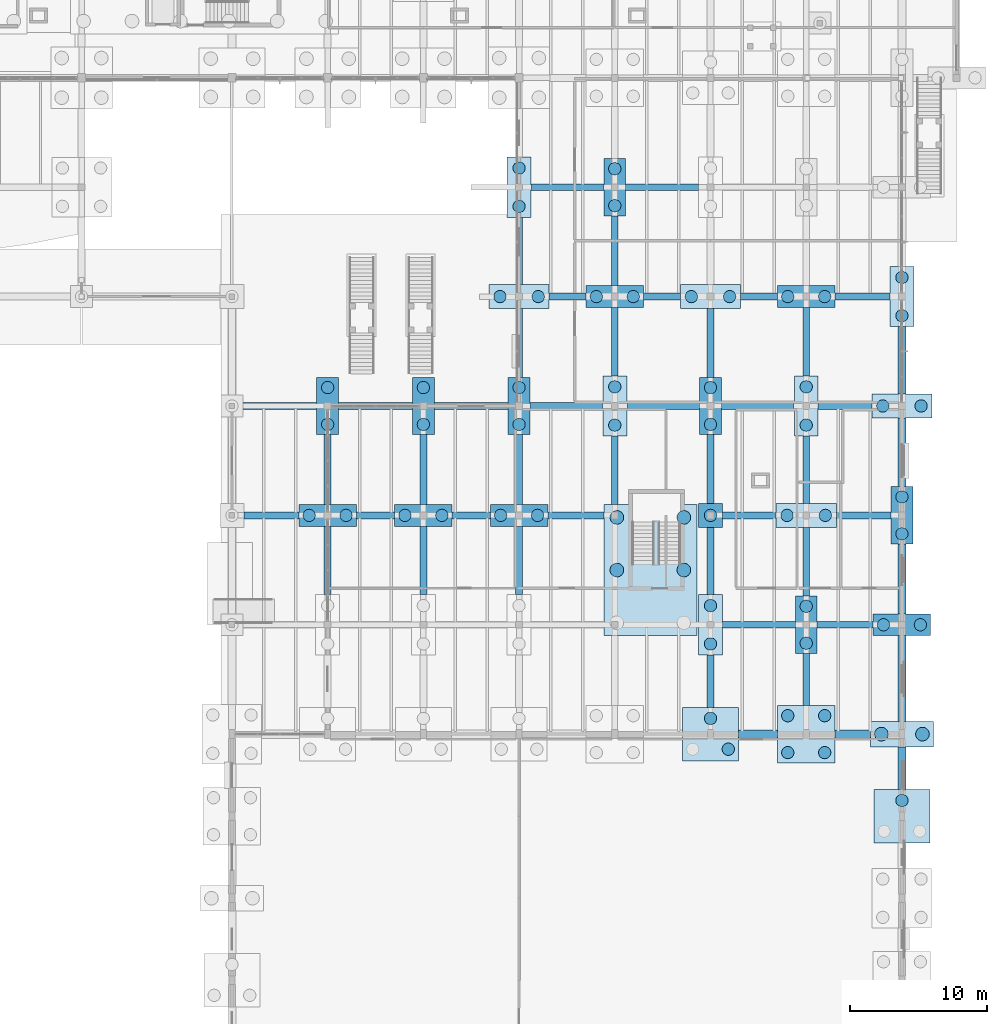
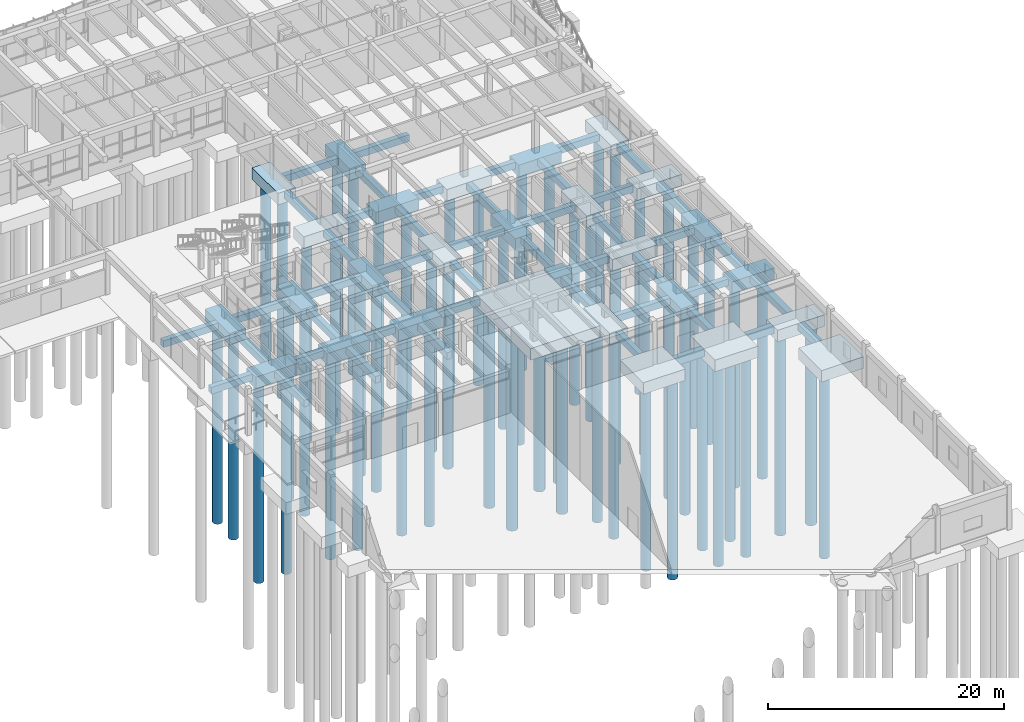
# One storey, part 7 of 99: 75 footings, 58 piles.
"""IFC4 building model written with IfcOpenShell, lengths in metres."""

from ifc_helpers import new_model, si_unit, direction, frame, origin, origin_2d, place, context, subcontext, project, spatial, rectangle, circle, extrude, material, material_profile, profile_set, type_object, element, save


model = new_model("IFC4")

# Units and contexts
model_context = context("Model", 3, precision=1e-05, world=origin(), true_north=direction((0.0, 1.0)))
body_context = subcontext(model_context, "Body", "Model", "MODEL_VIEW")
ifc_project = project(units=[si_unit("LENGTHUNIT", "METRE"), si_unit("AREAUNIT", "SQUARE_METRE"), si_unit("VOLUMEUNIT", "CUBIC_METRE"), si_unit("PLANEANGLEUNIT", "RADIAN"), si_unit("MASSUNIT", "GRAM", prefix="KILO")], contexts=[model_context])

# Site, building, storey
site_placement = place(None, origin())
site = spatial("IfcSite", under=ifc_project, at=site_placement, CompositionType="ELEMENT")
building_placement = place(site_placement, origin())
building = spatial("IfcBuilding", under=site, at=building_placement, Name="Tonlespit Floodbar School", CompositionType="ELEMENT")
storey_placement = place(building_placement, origin())
storey = spatial("IfcBuildingStorey", under=building, at=storey_placement, Name="L00", CompositionType="ELEMENT", Elevation=0.0)

# Footings
ifc_material_1 = material(Name="Concrete C40/50", Category="concrete")
footing_type_1 = type_object("IfcFootingType", Name="FootingBeam_RC_500x700", PredefinedType="FOOTING_BEAM", material=ifc_material_1)
footing_1_placement = place(storey_placement, frame((165.53759765625, 64.0, -0.89990234375), z_axis=(0.0, 0.0, 1.0), x_axis=(1.0, 0.0, 0.0)))
element("IfcFooting", 1, at=footing_1_placement, inside=storey, type_object=footing_type_1, Name="Ground tie beam FB-063", PredefinedType="FOOTING_BEAM", context=body_context, shape_type="SweptSolid", body=[
    extrude(rectangle(XDim=5.324951171875, YDim=0.5, at=origin_2d()), origin(), (0.0, 0.0, 1.0), 0.699951171875),
])
footing_2_placement = place(storey_placement, frame((171.85009765625, 64.0, -0.89990234375), z_axis=(0.0, 0.0, 1.0), x_axis=(1.0, 0.0, 0.0)))
element("IfcFooting", 2, at=footing_2_placement, inside=storey, type_object=footing_type_1, Name="Ground tie beam FB-064", PredefinedType="FOOTING_BEAM", context=body_context, shape_type="SweptSolid", body=[
    extrude(rectangle(XDim=4.10009765625, YDim=0.5, at=origin_2d()), origin(), (0.0, 0.0, 1.0), 0.699951171875),
])
footing_3_placement = place(storey_placement, frame((129.887451171875, 72.0, -0.89990234375), z_axis=(0.0, 0.0, 1.0), x_axis=(1.0, 0.0, 0.0)))
element("IfcFooting", 3, at=footing_3_placement, inside=storey, type_object=footing_type_1, Name="Ground tie beam FB-067", PredefinedType="FOOTING_BEAM", context=body_context, shape_type="SweptSolid", body=[
    extrude(rectangle(XDim=4.02490234375, YDim=0.5, at=origin_2d()), origin(), (0.0, 0.0, 1.0), 0.699951171875),
])
for number, where, z_axis, x_axis, name in (
    (4, (137.5, 72.0, -0.89990234375), (0.0, 0.0, 1.0), (1.0, 0.0, 0.0), "Ground tie beam FB-068"),
    (5, (144.5, 72.0, -0.89990234375), (0.0, 0.0, 1.0), (1.0, 0.0, 0.0), "Ground tie beam FB-069"),
):
    element("IfcFooting", number, at=place(storey_placement, frame(where, z_axis=z_axis, x_axis=x_axis)), inside=storey, type_object=footing_type_1, Name=name, PredefinedType="FOOTING_BEAM", context=body_context, shape_type="SweptSolid", body=[
        extrude(rectangle(XDim=2.800048828125, YDim=0.5, at=origin_2d()), origin(), (0.0, 0.0, 1.0), 0.699951171875),
    ])
footing_4_placement = place(storey_placement, frame((152.14990234375, 72.0, -0.89990234375), z_axis=(0.0, 0.0, 1.0), x_axis=(1.0, 0.0, 0.0)))
element("IfcFooting", 6, at=footing_4_placement, inside=storey, type_object=footing_type_1, Name="Ground tie beam FB-070", PredefinedType="FOOTING_BEAM", context=body_context, shape_type="SweptSolid", body=[
    extrude(rectangle(XDim=4.10009765625, YDim=0.5, at=origin_2d()), origin(), (0.0, 0.0, 1.0), 0.699951171875),
])
footing_5_placement = place(storey_placement, frame((164.83740234375, 72.0, -0.89990234375), z_axis=(0.0, 0.0, 1.0), x_axis=(1.0, 0.0, 0.0)))
element("IfcFooting", 7, at=footing_5_placement, inside=storey, type_object=footing_type_1, Name="Ground tie beam FB-071", PredefinedType="FOOTING_BEAM", context=body_context, shape_type="SweptSolid", body=[
    extrude(rectangle(XDim=3.925048828125, YDim=0.5, at=origin_2d()), origin(), (0.0, 0.0, 1.0), 0.699951171875),
])
footing_6_placement = place(storey_placement, frame((173.199951171875, 72.0, -0.89990234375), z_axis=(0.0, 0.0, 1.0), x_axis=(1.0, 0.0, 0.0)))
element("IfcFooting", 8, at=footing_6_placement, inside=storey, type_object=footing_type_1, Name="Ground tie beam FB-072", PredefinedType="FOOTING_BEAM", context=body_context, shape_type="SweptSolid", body=[
    extrude(rectangle(XDim=4.0, YDim=0.5, at=origin_2d()), origin(), (0.0, 0.0, 1.0), 0.699951171875),
])
for number, where, z_axis, x_axis, name in (
    (9, (130.5, 80.0, -0.89990234375), (0.0, 0.0, 1.0), (1.0, 0.0, 0.0), "Ground tie beam FB-077"),
    (10, (137.5, 80.0, -0.89990234375), (0.0, 0.0, 1.0), (1.0, 0.0, 0.0), "Ground tie beam FB-078"),
    (11, (144.5, 80.0, -0.89990234375), (0.0, 0.0, 1.0), (1.0, 0.0, 0.0), "Ground tie beam FB-079"),
):
    element("IfcFooting", number, at=place(storey_placement, frame(where, z_axis=z_axis, x_axis=x_axis)), inside=storey, type_object=footing_type_1, Name=name, PredefinedType="FOOTING_BEAM", context=body_context, shape_type="SweptSolid", body=[
        extrude(rectangle(XDim=5.39990234375, YDim=0.5, at=origin_2d()), origin(), (0.0, 0.0, 1.0), 0.699951171875),
    ])
for number, where, z_axis, x_axis, name in (
    (12, (151.46240234375, 80.0, -0.89990234375), (0.0, 0.0, 1.0), (1.0, 0.0, 0.0), "Ground tie beam FB-080"),
    (13, (158.53759765625, 80.0, -0.89990234375), (0.0, 0.0, 1.0), (1.0, 0.0, 0.0), "Ground tie beam FB-081"),
    (14, (165.46240234375, 80.0, -0.89990234375), (0.0, 0.0, 1.0), (1.0, 0.0, 0.0), "Ground tie beam FB-082"),
):
    element("IfcFooting", number, at=place(storey_placement, frame(where, z_axis=z_axis, x_axis=x_axis)), inside=storey, type_object=footing_type_1, Name=name, PredefinedType="FOOTING_BEAM", context=body_context, shape_type="SweptSolid", body=[
        extrude(rectangle(XDim=5.324951171875, YDim=0.5, at=origin_2d()), origin(), (0.0, 0.0, 1.0), 0.699951171875),
    ])
footing_7_placement = place(storey_placement, frame((171.83740234375, 80.0, -0.89990234375), z_axis=(0.0, 0.0, 1.0), x_axis=(1.0, 0.0, 0.0)))
element("IfcFooting", 15, at=footing_7_placement, inside=storey, type_object=footing_type_1, Name="Ground tie beam FB-083", PredefinedType="FOOTING_BEAM", context=body_context, shape_type="SweptSolid", body=[
    extrude(rectangle(XDim=3.925048828125, YDim=0.5, at=origin_2d()), origin(), (0.0, 0.0, 1.0), 0.699951171875),
])
for number, where, z_axis, x_axis, name in (
    (16, (151.550048828125, 88.0, -0.89990234375), (0.0, 0.0, 1.0), (1.0, 0.0, 0.0), "Ground tie beam FB-097"),
    (17, (158.449951171875, 88.0, -0.89990234375), (0.0, 0.0, 1.0), (1.0, 0.0, 0.0), "Ground tie beam FB-098"),
    (18, (165.550048828125, 88.0, -0.89990234375), (0.0, 0.0, 1.0), (1.0, 0.0, 0.0), "Ground tie beam FB-099"),
):
    element("IfcFooting", number, at=place(storey_placement, frame(where, z_axis=z_axis, x_axis=x_axis)), inside=storey, type_object=footing_type_1, Name=name, PredefinedType="FOOTING_BEAM", context=body_context, shape_type="SweptSolid", body=[
        extrude(rectangle(XDim=2.699951171875, YDim=0.5, at=origin_2d()), origin(), (0.0, 0.0, 1.0), 0.699951171875),
    ])
footing_8_placement = place(storey_placement, frame((173.112548828125, 88.0, -0.89990234375), z_axis=(0.0, 0.0, 1.0), x_axis=(1.0, 0.0, 0.0)))
element("IfcFooting", 19, at=footing_8_placement, inside=storey, type_object=footing_type_1, Name="Ground tie beam FB-100", PredefinedType="FOOTING_BEAM", context=body_context, shape_type="SweptSolid", body=[
    extrude(rectangle(XDim=4.02490234375, YDim=0.5, at=origin_2d()), origin(), (0.0, 0.0, 1.0), 0.699951171875),
])
for number, where, z_axis, x_axis, name in (
    (20, (151.53759765625, 96.0, -0.89990234375), (0.0, 0.0, 1.0), (1.0, 0.0, 0.0), "Ground tie beam FB-113"),
    (21, (158.46240234375, 96.0, -0.89990234375), (0.0, 0.0, 1.0), (1.0, 0.0, 0.0), "Ground tie beam FB-114"),
):
    element("IfcFooting", number, at=place(storey_placement, frame(where, z_axis=z_axis, x_axis=x_axis)), inside=storey, type_object=footing_type_1, Name=name, PredefinedType="FOOTING_BEAM", context=body_context, shape_type="SweptSolid", body=[
        extrude(rectangle(XDim=5.324951171875, YDim=0.5, at=origin_2d()), origin(), (0.0, 0.0, 1.0), 0.699951171875),
    ])
footing_9_placement = place(storey_placement, frame((134.0, 68.699951171875, -0.89990234375), z_axis=(0.0, 0.0, 1.0), x_axis=(0.0, 1.0, 0.0)))
element("IfcFooting", 22, at=footing_9_placement, inside=storey, type_object=footing_type_1, Name="Ground tie beam FB-279", PredefinedType="FOOTING_BEAM", context=body_context, shape_type="SweptSolid", body=[
    extrude(rectangle(XDim=5.0, YDim=0.5, at=origin_2d()), origin(), (0.0, 0.0, 1.0), 0.699951171875),
])
footing_10_placement = place(storey_placement, frame((134.0, 75.35009765625, -0.89990234375), z_axis=(0.0, 0.0, 1.0), x_axis=(0.0, 1.0, 0.0)))
element("IfcFooting", 23, at=footing_10_placement, inside=storey, type_object=footing_type_1, Name="Ground tie beam FB-280", PredefinedType="FOOTING_BEAM", context=body_context, shape_type="SweptSolid", body=[
    extrude(rectangle(XDim=5.10009765625, YDim=0.5, at=origin_2d()), origin(), (0.0, 0.0, 1.0), 0.699951171875),
])
footing_11_placement = place(storey_placement, frame((141.0, 68.699951171875, -0.89990234375), z_axis=(0.0, 0.0, 1.0), x_axis=(0.0, 1.0, 0.0)))
element("IfcFooting", 24, at=footing_11_placement, inside=storey, type_object=footing_type_1, Name="Ground tie beam FB-284", PredefinedType="FOOTING_BEAM", context=body_context, shape_type="SweptSolid", body=[
    extrude(rectangle(XDim=5.0, YDim=0.5, at=origin_2d()), origin(), (0.0, 0.0, 1.0), 0.699951171875),
])
footing_12_placement = place(storey_placement, frame((141.0, 75.35009765625, -0.89990234375), z_axis=(0.0, 0.0, 1.0), x_axis=(0.0, 1.0, 0.0)))
element("IfcFooting", 25, at=footing_12_placement, inside=storey, type_object=footing_type_1, Name="Ground tie beam FB-285", PredefinedType="FOOTING_BEAM", context=body_context, shape_type="SweptSolid", body=[
    extrude(rectangle(XDim=5.10009765625, YDim=0.5, at=origin_2d()), origin(), (0.0, 0.0, 1.0), 0.699951171875),
])
footing_13_placement = place(storey_placement, frame((148.0, 68.699951171875, -0.89990234375), z_axis=(0.0, 0.0, 1.0), x_axis=(0.0, 1.0, 0.0)))
element("IfcFooting", 26, at=footing_13_placement, inside=storey, type_object=footing_type_1, Name="Ground tie beam FB-289", PredefinedType="FOOTING_BEAM", context=body_context, shape_type="SweptSolid", body=[
    extrude(rectangle(XDim=5.0, YDim=0.5, at=origin_2d()), origin(), (0.0, 0.0, 1.0), 0.699951171875),
])
footing_14_placement = place(storey_placement, frame((148.0, 75.35009765625, -0.89990234375), z_axis=(0.0, 0.0, 1.0), x_axis=(0.0, 1.0, 0.0)))
element("IfcFooting", 27, at=footing_14_placement, inside=storey, type_object=footing_type_1, Name="Ground tie beam FB-290", PredefinedType="FOOTING_BEAM", context=body_context, shape_type="SweptSolid", body=[
    extrude(rectangle(XDim=5.10009765625, YDim=0.5, at=origin_2d()), origin(), (0.0, 0.0, 1.0), 0.699951171875),
])
footing_15_placement = place(storey_placement, frame((148.0, 84.612548828125, -0.89990234375), z_axis=(0.0, 0.0, 1.0), x_axis=(0.0, 1.0, 0.0)))
element("IfcFooting", 28, at=footing_15_placement, inside=storey, type_object=footing_type_1, Name="Ground tie beam FB-291", PredefinedType="FOOTING_BEAM", context=body_context, shape_type="SweptSolid", body=[
    extrude(rectangle(XDim=5.02490234375, YDim=0.5, at=origin_2d()), origin(), (0.0, 0.0, 1.0), 0.699951171875),
])
footing_16_placement = place(storey_placement, frame((148.0, 91.33740234375, -0.89990234375), z_axis=(0.0, 0.0, 1.0), x_axis=(0.0, 1.0, 0.0)))
element("IfcFooting", 29, at=footing_16_placement, inside=storey, type_object=footing_type_1, Name="Ground tie beam FB-292", PredefinedType="FOOTING_BEAM", context=body_context, shape_type="SweptSolid", body=[
    extrude(rectangle(XDim=4.925048828125, YDim=0.5, at=origin_2d()), origin(), (0.0, 0.0, 1.0), 0.699951171875),
])
for number, where, z_axis, x_axis, name in (
    (30, (155.0, 75.300048828125, -0.89990234375), (0.0, 0.0, 1.0), (0.0, 1.0, 0.0), "Ground tie beam FB-297"),
    (31, (155.0, 84.699951171875, -0.89990234375), (0.0, 0.0, 1.0), (0.0, 1.0, 0.0), "Ground tie beam FB-298"),
):
    element("IfcFooting", number, at=place(storey_placement, frame(where, z_axis=z_axis, x_axis=x_axis)), inside=storey, type_object=footing_type_1, Name=name, PredefinedType="FOOTING_BEAM", context=body_context, shape_type="SweptSolid", body=[
        extrude(rectangle(XDim=5.0, YDim=0.5, at=origin_2d()), origin(), (0.0, 0.0, 1.0), 0.699951171875),
    ])
footing_17_placement = place(storey_placement, frame((155.0, 91.35009765625, -0.89990234375), z_axis=(0.0, 0.0, 1.0), x_axis=(0.0, 1.0, 0.0)))
element("IfcFooting", 32, at=footing_17_placement, inside=storey, type_object=footing_type_1, Name="Ground tie beam FB-299", PredefinedType="FOOTING_BEAM", context=body_context, shape_type="SweptSolid", body=[
    extrude(rectangle(XDim=5.10009765625, YDim=0.5, at=origin_2d()), origin(), (0.0, 0.0, 1.0), 0.699951171875),
])
footing_18_placement = place(storey_placement, frame((162.0, 59.875, -0.89990234375), z_axis=(0.0, 0.0, 1.0), x_axis=(0.0, 1.0, 0.0)))
element("IfcFooting", 33, at=footing_18_placement, inside=storey, type_object=footing_type_1, Name="Ground tie beam FB-303", PredefinedType="FOOTING_BEAM", context=body_context, shape_type="SweptSolid", body=[
    extrude(rectangle(XDim=3.85009765625, YDim=0.5, at=origin_2d()), origin(), (0.0, 0.0, 1.0), 0.699951171875),
])
footing_19_placement = place(storey_placement, frame((162.0, 68.66259765625, -0.89990234375), z_axis=(0.0, 0.0, 1.0), x_axis=(0.0, 1.0, 0.0)))
element("IfcFooting", 34, at=footing_19_placement, inside=storey, type_object=footing_type_1, Name="Ground tie beam FB-304", PredefinedType="FOOTING_BEAM", context=body_context, shape_type="SweptSolid", body=[
    extrude(rectangle(XDim=4.925048828125, YDim=0.5, at=origin_2d()), origin(), (0.0, 0.0, 1.0), 0.699951171875),
])
for number, where, z_axis, x_axis, name in (
    (35, (162.0, 75.387451171875, -0.89990234375), (0.0, 0.0, 1.0), (0.0, 1.0, 0.0), "Ground tie beam FB-305"),
    (36, (162.0, 84.612548828125, -0.89990234375), (0.0, 0.0, 1.0), (0.0, 1.0, 0.0), "Ground tie beam FB-306"),
):
    element("IfcFooting", number, at=place(storey_placement, frame(where, z_axis=z_axis, x_axis=x_axis)), inside=storey, type_object=footing_type_1, Name=name, PredefinedType="FOOTING_BEAM", context=body_context, shape_type="SweptSolid", body=[
        extrude(rectangle(XDim=5.02490234375, YDim=0.5, at=origin_2d()), origin(), (0.0, 0.0, 1.0), 0.699951171875),
    ])
footing_20_placement = place(storey_placement, frame((169.0, 60.0, -0.89990234375), z_axis=(0.0, 0.0, 1.0), x_axis=(0.0, 1.0, 0.0)))
element("IfcFooting", 37, at=footing_20_placement, inside=storey, type_object=footing_type_1, Name="Ground tie beam FB-311", PredefinedType="FOOTING_BEAM", context=body_context, shape_type="SweptSolid", body=[
    extrude(rectangle(XDim=3.800048828125, YDim=0.5, at=origin_2d()), origin(), (0.0, 0.0, 1.0), 0.699951171875),
])
footing_21_placement = place(storey_placement, frame((169.0, 68.612548828125, -0.89990234375), z_axis=(0.0, 0.0, 1.0), x_axis=(0.0, 1.0, 0.0)))
element("IfcFooting", 38, at=footing_21_placement, inside=storey, type_object=footing_type_1, Name="Ground tie beam FB-312", PredefinedType="FOOTING_BEAM", context=body_context, shape_type="SweptSolid", body=[
    extrude(rectangle(XDim=5.02490234375, YDim=0.5, at=origin_2d()), origin(), (0.0, 0.0, 1.0), 0.699951171875),
])
footing_22_placement = place(storey_placement, frame((169.0, 75.33740234375, -0.89990234375), z_axis=(0.0, 0.0, 1.0), x_axis=(0.0, 1.0, 0.0)))
element("IfcFooting", 39, at=footing_22_placement, inside=storey, type_object=footing_type_1, Name="Ground tie beam FB-313", PredefinedType="FOOTING_BEAM", context=body_context, shape_type="SweptSolid", body=[
    extrude(rectangle(XDim=4.925048828125, YDim=0.5, at=origin_2d()), origin(), (0.0, 0.0, 1.0), 0.699951171875),
])
footing_23_placement = place(storey_placement, frame((169.0, 84.699951171875, -0.89990234375), z_axis=(0.0, 0.0, 1.0), x_axis=(0.0, 1.0, 0.0)))
element("IfcFooting", 40, at=footing_23_placement, inside=storey, type_object=footing_type_1, Name="Ground tie beam FB-314", PredefinedType="FOOTING_BEAM", context=body_context, shape_type="SweptSolid", body=[
    extrude(rectangle(XDim=5.0, YDim=0.5, at=origin_2d()), origin(), (0.0, 0.0, 1.0), 0.699951171875),
])
footing_type_2 = type_object("IfcFootingType", Name="PileCap_1P_1750", PredefinedType="PILE_CAP", material=ifc_material_1)
footing_24_placement = place(storey_placement, frame((162.0, 72.0, -1.39990234375), z_axis=(0.0, 0.0, 1.0), x_axis=(1.0, 0.0, 0.0)))
element("IfcFooting", 41, at=footing_24_placement, inside=storey, type_object=footing_type_2, Name="Pile cap FC-177 at U20/V11", PredefinedType="PILE_CAP", context=body_context, shape_type="SweptSolid", body=[
    extrude(rectangle(XDim=1.75, YDim=1.75, at=origin_2d()), origin(), (0.0, 0.0, 1.0), 1.199951171875),
])
footing_type_3 = type_object("IfcFootingType", Name="PileCap_2PX_4200x1600", PredefinedType="PILE_CAP", material=ifc_material_1)
for number, where, z_axis, x_axis, name in (
    (42, (134.0, 72.0, -1.39990234375), (0.0, 0.0, 1.0), (1.0, 0.0, 0.0), "Pile cap FC-141 at U16/V11"),
    (43, (141.0, 72.0, -1.39990234375), (0.0, 0.0, 1.0), (1.0, 0.0, 0.0), "Pile cap FC-149 at U17/V11"),
    (44, (148.0, 72.0, -1.39990234375), (0.0, 0.0, 1.0), (1.0, 0.0, 0.0), "Pile cap FC-157 at U18/V11"),
    (45, (155.0, 88.0, -1.39990234375), (0.0, 0.0, 1.0), (1.0, 0.0, 0.0), "Pile cap FC-169 at U19/V13"),
    (46, (169.0, 88.0, -1.39990234375), (0.0, 0.0, 1.0), (1.0, 0.0, 0.0), "Pile cap FC-189 at U21/V13"),
    (47, (176.0, 64.0, -1.39990234375), (0.0, 0.0, 1.0), (1.0, 0.0, 0.0), "Pile cap FC-201 at U22/V10"),
):
    element("IfcFooting", number, at=place(storey_placement, frame(where, z_axis=z_axis, x_axis=x_axis)), inside=storey, type_object=footing_type_3, Name=name, PredefinedType="PILE_CAP", context=body_context, shape_type="SweptSolid", body=[
        extrude(rectangle(XDim=4.199951171875, YDim=1.60009765625, at=origin_2d()), origin(), (0.0, 0.0, 1.0), 1.199951171875),
    ])
footing_type_4 = type_object("IfcFootingType", Name="PileCap_2PX_4400x1750", PredefinedType="PILE_CAP", material=ifc_material_1)
for number, where, z_axis, x_axis, name in (
    (48, (148.0, 88.0, -1.39990234375), (0.0, 0.0, 1.0), (1.0, 0.0, 0.0), "Pile cap FC-159 at U18/V13"),
    (49, (162.0, 88.0, -1.39990234375), (0.0, 0.0, 1.0), (1.0, 0.0, 0.0), "Pile cap FC-179 at U20/V13"),
    (50, (169.0, 72.0, -1.39990234375), (0.0, 0.0, 1.0), (1.0, 0.0, 0.0), "Pile cap FC-187 at U21/V11"),
    (51, (176.0, 80.0, -1.39990234375), (0.0, 0.0, 1.0), (1.0, 0.0, 0.0), "Pile cap FC-203 at U22/V12"),
):
    element("IfcFooting", number, at=place(storey_placement, frame(where, z_axis=z_axis, x_axis=x_axis)), inside=storey, type_object=footing_type_4, Name=name, PredefinedType="PILE_CAP", context=body_context, shape_type="SweptSolid", body=[
        extrude(rectangle(XDim=4.39990234375, YDim=1.75, at=origin_2d()), origin(), (0.0, 0.0, 1.0), 1.199951171875),
    ])
footing_type_5 = type_object("IfcFootingType", Name="PileCap_2PX_4600x1850", PredefinedType="PILE_CAP", material=ifc_material_1)
footing_25_placement = place(storey_placement, frame((176.0, 56.0, -1.39990234375), z_axis=(0.0, 0.0, 1.0), x_axis=(1.0, 0.0, 0.0)))
element("IfcFooting", 52, at=footing_25_placement, inside=storey, type_object=footing_type_5, Name="Pile cap FC-200 at U22/V09", PredefinedType="PILE_CAP", context=body_context, shape_type="SweptSolid", body=[
    extrude(rectangle(XDim=4.60009765625, YDim=1.85009765625, at=origin_2d()), origin(), (0.0, 0.0, 1.0), 1.199951171875),
])
footing_type_6 = type_object("IfcFootingType", Name="PileCap_2PY_1600x4200", PredefinedType="PILE_CAP", material=ifc_material_1)
for number, where, z_axis, x_axis, name in (
    (53, (134.0, 80.0, -1.39990234375), (0.0, 0.0, 1.0), (1.0, 0.0, 0.0), "Pile cap FC-142 at U16/V12"),
    (54, (141.0, 80.0, -1.39990234375), (0.0, 0.0, 1.0), (1.0, 0.0, 0.0), "Pile cap FC-150 at U17/V12"),
    (55, (148.0, 80.0, -1.39990234375), (0.0, 0.0, 1.0), (1.0, 0.0, 0.0), "Pile cap FC-158 at U18/V12"),
    (56, (155.0, 96.0, -1.39990234375), (0.0, 0.0, 1.0), (1.0, 0.0, 0.0), "Pile cap FC-170 at U19/V14"),
    (57, (162.0, 80.0, -1.39990234375), (0.0, 0.0, 1.0), (1.0, 0.0, 0.0), "Pile cap FC-178 at U20/V12"),
    (58, (169.0, 64.0, -1.39990234375), (0.0, 0.0, 1.0), (1.0, 0.0, 0.0), "Pile cap FC-186 at U21/V10"),
    (59, (176.0, 72.0, -1.39990234375), (0.0, 0.0, 1.0), (1.0, 0.0, 0.0), "Pile cap FC-202 at U22/V11"),
):
    element("IfcFooting", number, at=place(storey_placement, frame(where, z_axis=z_axis, x_axis=x_axis)), inside=storey, type_object=footing_type_6, Name=name, PredefinedType="PILE_CAP", context=body_context, shape_type="SweptSolid", body=[
        extrude(rectangle(XDim=1.60009765625, YDim=4.199951171875, at=origin_2d()), origin(), (0.0, 0.0, 1.0), 1.199951171875),
    ])
footing_type_7 = type_object("IfcFootingType", Name="PileCap_2PY_1750x4400", PredefinedType="PILE_CAP", material=ifc_material_1)
for number, where, z_axis, x_axis, name in (
    (60, (148.0, 96.0, -1.39990234375), (0.0, 0.0, 1.0), (1.0, 0.0, 0.0), "Pile cap FC-160 at U18/V14"),
    (61, (155.0, 80.0, -1.39990234375), (0.0, 0.0, 1.0), (1.0, 0.0, 0.0), "Pile cap FC-168 at U19/V12"),
    (62, (162.0, 64.0, -1.39990234375), (0.0, 0.0, 1.0), (1.0, 0.0, 0.0), "Pile cap FC-176 at U20/V10"),
    (63, (169.0, 80.0, -1.39990234375), (0.0, 0.0, 1.0), (1.0, 0.0, 0.0), "Pile cap FC-188 at U21/V12"),
    (64, (176.0, 88.0, -1.39990234375), (0.0, 0.0, 1.0), (1.0, 0.0, 0.0), "Pile cap FC-204 at U22/V13"),
):
    element("IfcFooting", number, at=place(storey_placement, frame(where, z_axis=z_axis, x_axis=x_axis)), inside=storey, type_object=footing_type_7, Name=name, PredefinedType="PILE_CAP", context=body_context, shape_type="SweptSolid", body=[
        extrude(rectangle(XDim=1.75, YDim=4.39990234375, at=origin_2d()), origin(), (0.0, 0.0, 1.0), 1.199951171875),
    ])
footing_type_8 = type_object("IfcFootingType", Name="PileCap_3P_4100x3900", PredefinedType="PILE_CAP", material=ifc_material_1)
for number, where, z_axis, x_axis, name in (
    (65, (162.0, 56.0, -1.39990234375), (0.0, 0.0, 1.0), (1.0, 0.0, 0.0), "Pile cap FC-175 at U20/V09"),
    (66, (176.0, 50.0, -1.39990234375), (0.0, 0.0, 1.0), (1.0, 0.0, 0.0), "Pile cap FC-199 at U22/V08"),
):
    element("IfcFooting", number, at=place(storey_placement, frame(where, z_axis=z_axis, x_axis=x_axis)), inside=storey, type_object=footing_type_8, Name=name, PredefinedType="PILE_CAP", context=body_context, shape_type="SweptSolid", body=[
        extrude(rectangle(XDim=4.10009765625, YDim=3.89990234375, at=origin_2d()), origin(), (0.0, 0.0, 1.0), 1.199951171875),
    ])
footing_type_9 = type_object("IfcFootingType", Name="PileCap_4P_4200x4200", PredefinedType="PILE_CAP", material=ifc_material_1)
footing_26_placement = place(storey_placement, frame((169.0, 56.0, -1.39990234375), z_axis=(0.0, 0.0, 1.0), x_axis=(1.0, 0.0, 0.0)))
element("IfcFooting", 67, at=footing_26_placement, inside=storey, type_object=footing_type_9, Name="Pile cap FC-185 at U21/V09", PredefinedType="PILE_CAP", context=body_context, shape_type="SweptSolid", body=[
    extrude(rectangle(XDim=4.199951171875, YDim=4.199951171875, at=origin_2d()), origin(), (0.0, 0.0, 1.0), 1.199951171875),
])
footing_type_10 = type_object("IfcFootingType", Name="PileCap_Core_C5", PredefinedType="PILE_CAP", material=ifc_material_1)
footing_27_placement = place(storey_placement, frame((157.60009765625, 68.0, -1.39990234375), z_axis=(0.0, 0.0, 1.0), x_axis=(1.0, 0.0, 0.0)))
element("IfcFooting", 68, at=footing_27_placement, inside=storey, type_object=footing_type_10, Name="Core C5 pile cap", PredefinedType="PILE_CAP", context=body_context, shape_type="SweptSolid", body=[
    extrude(rectangle(XDim=6.800048828125, YDim=9.60009765625, at=origin_2d()), origin(), (0.0, 0.0, 1.0), 1.199951171875),
])

# Piles
ifc_material_2 = material(Name="Concrete C35/45", Category="concrete")
ifc_material_profile_1 = material_profile(ifc_material_2, circle(Radius=0.5, at=origin_2d()), Name="BP D1000")
ifc_profile_set_1 = profile_set([ifc_material_profile_1], Name="Concrete C35/45")
pile_type_1 = type_object("IfcPileType", Name="Pile_RC_D1000", PredefinedType="BORED", material=ifc_profile_set_1)
for number, where, z_axis, x_axis, name in (
    (69, (155.14990234375, 68.0, -1.300048828125), (0.0, 0.0, -1.0), (1.0, 0.0, 0.0), "Bored pile PL-0046"),
    (70, (155.14990234375, 71.85009765625, -1.300048828125), (0.0, 0.0, -1.0), (1.0, 0.0, 0.0), "Bored pile PL-0047"),
    (71, (160.050048828125, 68.0, -1.300048828125), (0.0, 0.0, -1.0), (1.0, 0.0, 0.0), "Bored pile PL-0049"),
    (72, (160.050048828125, 71.85009765625, -1.300048828125), (0.0, 0.0, -1.0), (1.0, 0.0, 0.0), "Bored pile PL-0050"),
    (73, (174.5, 56.0, -1.300048828125), (0.0, 0.0, -1.0), (1.0, 0.0, 0.0), "Bored pile PL-0582"),
    (74, (177.5, 56.0, -1.300048828125), (0.0, 0.0, -1.0), (1.0, 0.0, 0.0), "Bored pile PL-0583"),
):
    element("IfcPile", number, at=place(storey_placement, frame(where, z_axis=z_axis, x_axis=x_axis)), inside=storey, type_object=pile_type_1, Name=name, PredefinedType="BORED", context=body_context, shape_type="SweptSolid", body=[
        extrude(circle(Radius=0.5, at=origin_2d()), origin(), (0.0, 0.0, 1.0), 20.699951171875),
    ])
ifc_material_profile_2 = material_profile(ifc_material_2, circle(Radius=0.449951171875, at=origin_2d()), Name="BP D900")
ifc_profile_set_2 = profile_set([ifc_material_profile_2], Name="Concrete C35/45")
pile_type_2 = type_object("IfcPileType", Name="Pile_RC_D900", PredefinedType="BORED", material=ifc_profile_set_2)
for number, where, z_axis, x_axis, name in (
    (75, (132.64990234375, 72.0, -1.300048828125), (0.0, 0.0, -1.0), (1.0, 0.0, 0.0), "Bored pile PL-0420"),
    (76, (135.35009765625, 72.0, -1.300048828125), (0.0, 0.0, -1.0), (1.0, 0.0, 0.0), "Bored pile PL-0421"),
    (77, (134.0, 78.64990234375, -1.300048828125), (0.0, 0.0, -1.0), (1.0, 0.0, 0.0), "Bored pile PL-0422"),
    (78, (134.0, 81.35009765625, -1.300048828125), (0.0, 0.0, -1.0), (1.0, 0.0, 0.0), "Bored pile PL-0423"),
    (79, (139.64990234375, 72.0, -1.300048828125), (0.0, 0.0, -1.0), (1.0, 0.0, 0.0), "Bored pile PL-0441"),
    (80, (142.35009765625, 72.0, -1.300048828125), (0.0, 0.0, -1.0), (1.0, 0.0, 0.0), "Bored pile PL-0442"),
    (81, (141.0, 78.64990234375, -1.300048828125), (0.0, 0.0, -1.0), (1.0, 0.0, 0.0), "Bored pile PL-0443"),
    (82, (141.0, 81.35009765625, -1.300048828125), (0.0, 0.0, -1.0), (1.0, 0.0, 0.0), "Bored pile PL-0444"),
    (83, (146.64990234375, 72.0, -1.300048828125), (0.0, 0.0, -1.0), (1.0, 0.0, 0.0), "Bored pile PL-0466"),
    (84, (149.35009765625, 72.0, -1.300048828125), (0.0, 0.0, -1.0), (1.0, 0.0, 0.0), "Bored pile PL-0467"),
    (85, (148.0, 78.64990234375, -1.300048828125), (0.0, 0.0, -1.0), (1.0, 0.0, 0.0), "Bored pile PL-0468"),
    (86, (148.0, 81.35009765625, -1.300048828125), (0.0, 0.0, -1.0), (1.0, 0.0, 0.0), "Bored pile PL-0469"),
    (87, (146.60009765625, 88.0, -1.300048828125), (0.0, 0.0, -1.0), (1.0, 0.0, 0.0), "Bored pile PL-0470"),
    (88, (149.39990234375, 88.0, -1.300048828125), (0.0, 0.0, -1.0), (1.0, 0.0, 0.0), "Bored pile PL-0471"),
    (89, (148.0, 94.60009765625, -1.300048828125), (0.0, 0.0, -1.0), (1.0, 0.0, 0.0), "Bored pile PL-0472"),
    (90, (148.0, 97.39990234375, -1.300048828125), (0.0, 0.0, -1.0), (1.0, 0.0, 0.0), "Bored pile PL-0473"),
    (91, (155.0, 78.60009765625, -1.300048828125), (0.0, 0.0, -1.0), (1.0, 0.0, 0.0), "Bored pile PL-0492"),
    (92, (155.0, 81.39990234375, -1.300048828125), (0.0, 0.0, -1.0), (1.0, 0.0, 0.0), "Bored pile PL-0493"),
    (93, (153.64990234375, 88.0, -1.300048828125), (0.0, 0.0, -1.0), (1.0, 0.0, 0.0), "Bored pile PL-0494"),
    (94, (156.35009765625, 88.0, -1.300048828125), (0.0, 0.0, -1.0), (1.0, 0.0, 0.0), "Bored pile PL-0495"),
    (95, (155.0, 94.64990234375, -1.300048828125), (0.0, 0.0, -1.0), (1.0, 0.0, 0.0), "Bored pile PL-0496"),
    (96, (155.0, 97.35009765625, -1.300048828125), (0.0, 0.0, -1.0), (1.0, 0.0, 0.0), "Bored pile PL-0497"),
    (97, (163.300048828125, 54.89990234375, -1.300048828125), (0.0, 0.0, -1.0), (1.0, 0.0, 0.0), "Bored pile PL-0514"),
    (98, (162.0, 57.14990234375, -1.300048828125), (0.0, 0.0, -1.0), (1.0, 0.0, 0.0), "Bored pile PL-0515"),
    (99, (162.0, 62.60009765625, -1.300048828125), (0.0, 0.0, -1.0), (1.0, 0.0, 0.0), "Bored pile PL-0516"),
    (100, (162.0, 65.39990234375, -1.300048828125), (0.0, 0.0, -1.0), (1.0, 0.0, 0.0), "Bored pile PL-0517"),
    (101, (162.0, 72.0, -1.300048828125), (0.0, 0.0, -1.0), (1.0, 0.0, 0.0), "Bored pile PL-0518"),
    (102, (162.0, 78.64990234375, -1.300048828125), (0.0, 0.0, -1.0), (1.0, 0.0, 0.0), "Bored pile PL-0519"),
    (103, (162.0, 81.35009765625, -1.300048828125), (0.0, 0.0, -1.0), (1.0, 0.0, 0.0), "Bored pile PL-0520"),
    (104, (160.60009765625, 88.0, -1.300048828125), (0.0, 0.0, -1.0), (1.0, 0.0, 0.0), "Bored pile PL-0521"),
    (105, (163.39990234375, 88.0, -1.300048828125), (0.0, 0.0, -1.0), (1.0, 0.0, 0.0), "Bored pile PL-0522"),
    (106, (167.64990234375, 54.64990234375, -1.300048828125), (0.0, 0.0, -1.0), (1.0, 0.0, 0.0), "Bored pile PL-0537"),
    (107, (170.35009765625, 54.64990234375, -1.300048828125), (0.0, 0.0, -1.0), (1.0, 0.0, 0.0), "Bored pile PL-0538"),
    (108, (167.64990234375, 57.35009765625, -1.300048828125), (0.0, 0.0, -1.0), (1.0, 0.0, 0.0), "Bored pile PL-0539"),
    (109, (170.35009765625, 57.35009765625, -1.300048828125), (0.0, 0.0, -1.0), (1.0, 0.0, 0.0), "Bored pile PL-0540"),
    (110, (169.0, 62.64990234375, -1.300048828125), (0.0, 0.0, -1.0), (1.0, 0.0, 0.0), "Bored pile PL-0541"),
    (111, (169.0, 65.35009765625, -1.300048828125), (0.0, 0.0, -1.0), (1.0, 0.0, 0.0), "Bored pile PL-0542"),
    (112, (167.60009765625, 72.0, -1.300048828125), (0.0, 0.0, -1.0), (1.0, 0.0, 0.0), "Bored pile PL-0543"),
    (113, (170.39990234375, 72.0, -1.300048828125), (0.0, 0.0, -1.0), (1.0, 0.0, 0.0), "Bored pile PL-0544"),
    (114, (169.0, 78.60009765625, -1.300048828125), (0.0, 0.0, -1.0), (1.0, 0.0, 0.0), "Bored pile PL-0545"),
    (115, (169.0, 81.39990234375, -1.300048828125), (0.0, 0.0, -1.0), (1.0, 0.0, 0.0), "Bored pile PL-0546"),
    (116, (167.64990234375, 88.0, -1.300048828125), (0.0, 0.0, -1.0), (1.0, 0.0, 0.0), "Bored pile PL-0547"),
    (117, (170.35009765625, 88.0, -1.300048828125), (0.0, 0.0, -1.0), (1.0, 0.0, 0.0), "Bored pile PL-0548"),
    (118, (176.0, 51.14990234375, -1.300048828125), (0.0, 0.0, -1.0), (1.0, 0.0, 0.0), "Bored pile PL-0581"),
    (119, (174.64990234375, 64.0, -1.300048828125), (0.0, 0.0, -1.0), (1.0, 0.0, 0.0), "Bored pile PL-0584"),
    (120, (177.35009765625, 64.0, -1.300048828125), (0.0, 0.0, -1.0), (1.0, 0.0, 0.0), "Bored pile PL-0585"),
    (121, (176.0, 70.64990234375, -1.300048828125), (0.0, 0.0, -1.0), (1.0, 0.0, 0.0), "Bored pile PL-0586"),
    (122, (176.0, 73.35009765625, -1.300048828125), (0.0, 0.0, -1.0), (1.0, 0.0, 0.0), "Bored pile PL-0587"),
    (123, (174.60009765625, 80.0, -1.300048828125), (0.0, 0.0, -1.0), (1.0, 0.0, 0.0), "Bored pile PL-0588"),
    (124, (177.39990234375, 80.0, -1.300048828125), (0.0, 0.0, -1.0), (1.0, 0.0, 0.0), "Bored pile PL-0589"),
    (125, (176.0, 86.60009765625, -1.300048828125), (0.0, 0.0, -1.0), (1.0, 0.0, 0.0), "Bored pile PL-0590"),
    (126, (176.0, 89.39990234375, -1.300048828125), (0.0, 0.0, -1.0), (1.0, 0.0, 0.0), "Bored pile PL-0591"),
):
    element("IfcPile", number, at=place(storey_placement, frame(where, z_axis=z_axis, x_axis=x_axis)), inside=storey, type_object=pile_type_2, Name=name, PredefinedType="BORED", context=body_context, shape_type="SweptSolid", body=[
        extrude(circle(Radius=0.449951171875, at=origin_2d()), origin(), (0.0, 0.0, 1.0), 20.699951171875),
    ])

# Footings
footing_type_11 = type_object("IfcFootingType", Name="StripFooting_RC_600x700", PredefinedType="STRIP_FOOTING", material=ifc_material_1)
footing_28_placement = place(storey_placement, frame((165.47509765625, 56.0, -0.89990234375), z_axis=(0.0, 0.0, 1.0), x_axis=(1.0, 0.0, 0.0)))
element("IfcFooting", 127, at=footing_28_placement, inside=storey, type_object=footing_type_11, Name="Ground tie beam FB-053", PredefinedType="STRIP_FOOTING", context=body_context, shape_type="SweptSolid", body=[
    extrude(rectangle(XDim=2.85009765625, YDim=0.60009765625, at=origin_2d()), origin(), (0.0, 0.0, 1.0), 0.699951171875),
])
footing_29_placement = place(storey_placement, frame((172.39990234375, 56.0, -0.89990234375), z_axis=(0.0, 0.0, 1.0), x_axis=(1.0, 0.0, 0.0)))
element("IfcFooting", 128, at=footing_29_placement, inside=storey, type_object=footing_type_11, Name="Ground tie beam FB-054", PredefinedType="STRIP_FOOTING", context=body_context, shape_type="SweptSolid", body=[
    extrude(rectangle(XDim=2.60009765625, YDim=0.60009765625, at=origin_2d()), origin(), (0.0, 0.0, 1.0), 0.699951171875),
])
footing_30_placement = place(storey_placement, frame((176.0, 53.512451171875, -0.89990234375), z_axis=(0.0, 0.0, 1.0), x_axis=(0.0, 1.0, 0.0)))
element("IfcFooting", 129, at=footing_30_placement, inside=storey, type_object=footing_type_11, Name="Ground tie beam FB-323", PredefinedType="STRIP_FOOTING", context=body_context, shape_type="SweptSolid", body=[
    extrude(rectangle(XDim=3.125, YDim=0.60009765625, at=origin_2d()), origin(), (0.0, 0.0, 1.0), 0.699951171875),
])
footing_31_placement = place(storey_placement, frame((176.0, 60.0625, -0.89990234375), z_axis=(0.0, 0.0, 1.0), x_axis=(0.0, 1.0, 0.0)))
element("IfcFooting", 130, at=footing_31_placement, inside=storey, type_object=footing_type_11, Name="Ground tie beam FB-324", PredefinedType="STRIP_FOOTING", context=body_context, shape_type="SweptSolid", body=[
    extrude(rectangle(XDim=6.27490234375, YDim=0.60009765625, at=origin_2d()), origin(), (0.0, 0.0, 1.0), 0.699951171875),
])
footing_32_placement = place(storey_placement, frame((176.0, 67.35009765625, -0.89990234375), z_axis=(0.0, 0.0, 1.0), x_axis=(0.0, 1.0, 0.0)))
element("IfcFooting", 131, at=footing_32_placement, inside=storey, type_object=footing_type_11, Name="Ground tie beam FB-325", PredefinedType="STRIP_FOOTING", context=body_context, shape_type="SweptSolid", body=[
    extrude(rectangle(XDim=5.10009765625, YDim=0.60009765625, at=origin_2d()), origin(), (0.0, 0.0, 1.0), 0.699951171875),
])
footing_33_placement = place(storey_placement, frame((176.0, 76.612548828125, -0.89990234375), z_axis=(0.0, 0.0, 1.0), x_axis=(0.0, 1.0, 0.0)))
element("IfcFooting", 132, at=footing_33_placement, inside=storey, type_object=footing_type_11, Name="Ground tie beam FB-326", PredefinedType="STRIP_FOOTING", context=body_context, shape_type="SweptSolid", body=[
    extrude(rectangle(XDim=5.02490234375, YDim=0.60009765625, at=origin_2d()), origin(), (0.0, 0.0, 1.0), 0.699951171875),
])
footing_34_placement = place(storey_placement, frame((176.0, 83.33740234375, -0.89990234375), z_axis=(0.0, 0.0, 1.0), x_axis=(0.0, 1.0, 0.0)))
element("IfcFooting", 133, at=footing_34_placement, inside=storey, type_object=footing_type_11, Name="Ground tie beam FB-327", PredefinedType="STRIP_FOOTING", context=body_context, shape_type="SweptSolid", body=[
    extrude(rectangle(XDim=4.925048828125, YDim=0.60009765625, at=origin_2d()), origin(), (0.0, 0.0, 1.0), 0.699951171875),
])

save(model, "model.ifc")
